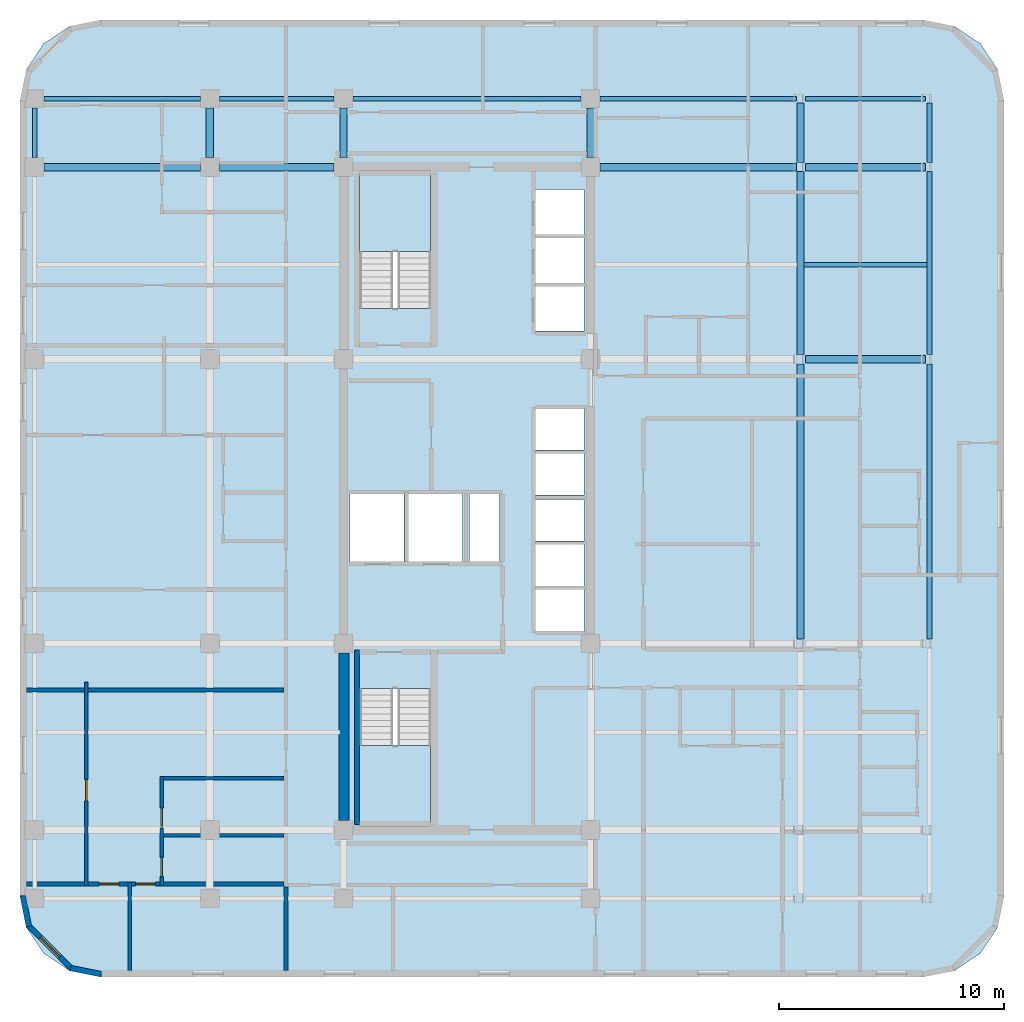
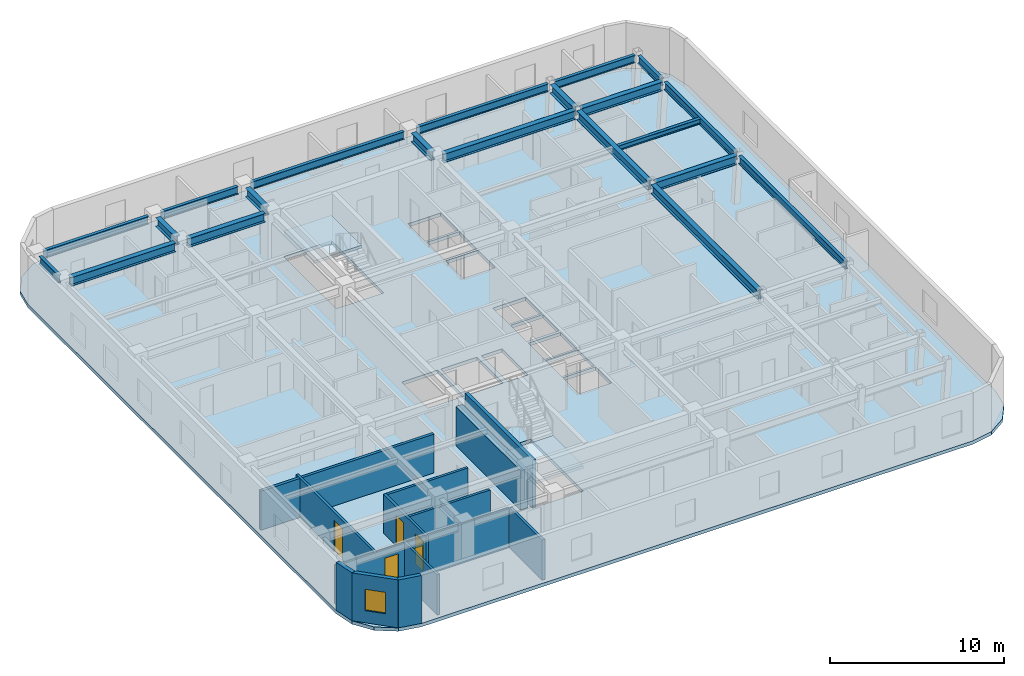
# One storey, part 2 of 8: 21 beams, 13 walls, 5 doors, 3 slabs, 1 window, 6 openings, 2 elements without a shape of their own.
"""IFC4 building model written with IfcOpenShell, lengths in metres."""

from ifc_helpers import new_model, si_unit, direction, frame, frame_2d, origin, origin_2d, place, context, subcontext, project, spatial, polyline, rectangle, i_section, outline, extrude, material, layer, layer_set, material_profile, profile_set, type_object, element, fill, aggregate, save


model = new_model("IFC4")

# Units and contexts
model_context = context("Model", 3, precision=1e-05, world=origin(), true_north=direction((0.0, 1.0)))
body_context = subcontext(model_context, "Body", "Model", "MODEL_VIEW")
ifc_project = project(units=[si_unit("LENGTHUNIT", "METRE"), si_unit("AREAUNIT", "SQUARE_METRE"), si_unit("VOLUMEUNIT", "CUBIC_METRE"), si_unit("PLANEANGLEUNIT", "RADIAN"), si_unit("MASSUNIT", "GRAM", prefix="KILO")], contexts=[model_context])

# Site, building, storey
site_placement = place(None, origin())
site = spatial("IfcSite", under=ifc_project, at=site_placement, CompositionType="ELEMENT")
building_placement = place(site_placement, origin())
building = spatial("IfcBuilding", under=site, at=building_placement, Name="Ochreholt Gables", CompositionType="ELEMENT")
storey_placement = place(building_placement, frame((0.0, 0.0, 128.39990234375)))
storey = spatial("IfcBuildingStorey", under=building, at=storey_placement, Name="L33", CompositionType="ELEMENT", Elevation=128.39990234375)

# Beams
ifc_material_1 = material(Name="Steel CSA G40.21 350W", Category="steel")
ifc_material_profile_1 = material_profile(ifc_material_1, i_section(OverallWidth=0.323974609375, OverallDepth=0.611083984375, WebThickness=0.0126953125, FlangeThickness=0.01904296875, at=origin_2d()), Name="W610X155")
ifc_profile_set_1 = profile_set([ifc_material_profile_1], Name="Steel CSA G40.21 350W")
beam_type_1 = type_object("IfcBeamType", Name="BM-G-W610A", PredefinedType="BEAM", material=ifc_profile_set_1)
beam_1_placement = place(storey_placement, frame((44.758544921875, 30.199951171875, 3.0546875), z_axis=(1.0, 0.0, 0.0), x_axis=(0.0, 1.0, 0.0)))
element("IfcBeam", 1, at=beam_1_placement, inside=storey, type_object=beam_type_1, Name="L33 Beam TBG-L33-EMEE-Y4", PredefinedType="BEAM", context=body_context, shape_type="SweptSolid", body=[
    extrude(i_section(OverallWidth=0.323974609375, OverallDepth=0.611083984375, WebThickness=0.0126953125, FlangeThickness=0.01904296875, at=origin_2d()), origin(), (0.0, 0.0, 1.0), 5.3515625),
])
beam_2_placement = place(storey_placement, frame((10.87451171875, 38.75, 3.0546875), z_axis=(1.0, 0.0, 0.0), x_axis=(0.0, 1.0, 0.0)))
element("IfcBeam", 2, at=beam_2_placement, inside=storey, type_object=beam_type_1, Name="L33 Beam TBG-L33-W2W3-Y5", PredefinedType="BEAM", context=body_context, shape_type="SweptSolid", body=[
    extrude(i_section(OverallWidth=0.323974609375, OverallDepth=0.611083984375, WebThickness=0.0126953125, FlangeThickness=0.01904296875, at=origin_2d()), origin(), (0.0, 0.0, 1.0), 6.950927734375),
])
beam_3_placement = place(storey_placement, frame((18.674560546875, 38.75, 3.0546875), z_axis=(1.0, 0.0, 0.0), x_axis=(0.0, 1.0, 0.0)))
element("IfcBeam", 3, at=beam_3_placement, inside=storey, type_object=beam_type_1, Name="L33 Beam TBG-L33-W3C1-Y5", PredefinedType="BEAM", context=body_context, shape_type="SweptSolid", body=[
    extrude(i_section(OverallWidth=0.323974609375, OverallDepth=0.611083984375, WebThickness=0.0126953125, FlangeThickness=0.01904296875, at=origin_2d()), origin(), (0.0, 0.0, 1.0), 5.100830078125),
])
beam_4_placement = place(storey_placement, frame((35.62451171875, 38.75, 3.0546875), z_axis=(1.0, 0.0, 0.0), x_axis=(0.0, 1.0, 0.0)))
element("IfcBeam", 4, at=beam_4_placement, inside=storey, type_object=beam_type_1, Name="L33 Beam TBG-L33-C2EM-Y5", PredefinedType="BEAM", context=body_context, shape_type="SweptSolid", body=[
    extrude(i_section(OverallWidth=0.323974609375, OverallDepth=0.611083984375, WebThickness=0.0126953125, FlangeThickness=0.01904296875, at=origin_2d()), origin(), (0.0, 0.0, 1.0), 8.72900390625),
])
beam_5_placement = place(storey_placement, frame((44.758544921875, 38.75, 3.0546875), z_axis=(1.0, 0.0, 0.0), x_axis=(0.0, 1.0, 0.0)))
element("IfcBeam", 5, at=beam_5_placement, inside=storey, type_object=beam_type_1, Name="L33 Beam TBG-L33-EMEE-Y5", PredefinedType="BEAM", context=body_context, shape_type="SweptSolid", body=[
    extrude(i_section(OverallWidth=0.323974609375, OverallDepth=0.611083984375, WebThickness=0.0126953125, FlangeThickness=0.01904296875, at=origin_2d()), origin(), (0.0, 0.0, 1.0), 5.3515625),
])
for number, where, z_axis, x_axis, name in (
    (6, (18.25, 39.174560546875, 3.0546875), (0.0, 1.0, 0.0), (-1.0, 0.0, 0.0), "L33 Beam TBN-L33-W3-Y5Y6"),
    (7, (24.199951171875, 39.174560546875, 3.0546875), (0.0, 1.0, 0.0), (-1.0, 0.0, 0.0), "L33 Beam TBN-L33-C1-Y5Y6"),
    (8, (35.199951171875, 39.174560546875, 3.0546875), (0.0, 1.0, 0.0), (-1.0, 0.0, 0.0), "L33 Beam TBN-L33-C2-Y5Y6"),
):
    element("IfcBeam", number, at=place(storey_placement, frame(where, z_axis=z_axis, x_axis=x_axis)), inside=storey, type_object=beam_type_1, Name=name, PredefinedType="BEAM", context=body_context, shape_type="SweptSolid", body=[
        extrude(i_section(OverallWidth=0.323974609375, OverallDepth=0.611083984375, WebThickness=0.0126953125, FlangeThickness=0.01904296875, at=origin_2d()), origin(), (0.0, 0.0, 1.0), 2.200927734375),
    ])
beam_6_placement = place(storey_placement, frame((44.538818359375, 17.752685546875, 3.0546875), z_axis=(0.0, 1.0, 0.0), x_axis=(-1.0, 0.0, 0.0)))
element("IfcBeam", 9, at=beam_6_placement, inside=storey, type_object=beam_type_1, Name="L33 Beam TBN-L33-EM-Y3Y4", PredefinedType="BEAM", context=body_context, shape_type="SweptSolid", body=[
    extrude(i_section(OverallWidth=0.323974609375, OverallDepth=0.611083984375, WebThickness=0.0126953125, FlangeThickness=0.01904296875, at=origin_2d()), origin(), (0.0, 0.0, 1.0), 12.24462890625),
])
beam_7_placement = place(storey_placement, frame((44.538818359375, 30.402587890625, 3.0546875), z_axis=(0.0, 1.0, 0.0), x_axis=(-1.0, 0.0, 0.0)))
element("IfcBeam", 10, at=beam_7_placement, inside=storey, type_object=beam_type_1, Name="L33 Beam TBN-L33-EM-Y4Y5", PredefinedType="BEAM", context=body_context, shape_type="SweptSolid", body=[
    extrude(i_section(OverallWidth=0.323974609375, OverallDepth=0.611083984375, WebThickness=0.0126953125, FlangeThickness=0.01904296875, at=origin_2d()), origin(), (0.0, 0.0, 1.0), 8.144775390625),
])
beam_8_placement = place(storey_placement, frame((44.538818359375, 38.95263671875, 3.0546875), z_axis=(0.0, 1.0, 0.0), x_axis=(-1.0, 0.0, 0.0)))
element("IfcBeam", 11, at=beam_8_placement, inside=storey, type_object=beam_type_1, Name="L33 Beam TBN-L33-EM-Y5Y6", PredefinedType="BEAM", context=body_context, shape_type="SweptSolid", body=[
    extrude(i_section(OverallWidth=0.323974609375, OverallDepth=0.611083984375, WebThickness=0.0126953125, FlangeThickness=0.01904296875, at=origin_2d()), origin(), (0.0, 0.0, 1.0), 2.644775390625),
])
ifc_material_profile_2 = material_profile(ifc_material_1, i_section(OverallWidth=0.205078125, OverallDepth=0.35400390625, WebThickness=0.009521484375, FlangeThickness=0.016845703125, at=origin_2d()), Name="W360X79")
ifc_profile_set_2 = profile_set([ifc_material_profile_2], Name="Steel CSA G40.21 350W")
beam_type_2 = type_object("IfcBeamType", Name="BM-J-W360A", PredefinedType="JOIST", material=ifc_profile_set_2)
beam_9_placement = place(storey_placement, frame((44.700439453125, 34.39990234375, 3.18310546875), z_axis=(1.0, 0.0, 0.0), x_axis=(0.0, 1.0, 0.0)))
element("IfcBeam", 12, at=beam_9_placement, inside=storey, type_object=beam_type_2, Name="L33 Beam TBJ-L33-J2-EMEE", PredefinedType="JOIST", context=body_context, shape_type="SweptSolid", body=[
    extrude(i_section(OverallWidth=0.205078125, OverallDepth=0.35400390625, WebThickness=0.009521484375, FlangeThickness=0.016845703125, at=origin_2d()), origin(), (0.0, 0.0, 1.0), 5.47998046875),
])
ifc_material_profile_3 = material_profile(ifc_material_1, i_section(OverallWidth=0.208984375, OverallDepth=0.532958984375, WebThickness=0.01025390625, FlangeThickness=0.015625, at=origin_2d()), Name="W530X92")
ifc_profile_set_3 = profile_set([ifc_material_profile_3], Name="Steel CSA G40.21 350W")
beam_type_3 = type_object("IfcBeamType", Name="BM-SP-W530B", PredefinedType="SPANDREL", material=ifc_profile_set_3)
beam_10_placement = place(storey_placement, frame((10.87451171875, 41.800048828125, 3.093505859375), z_axis=(1.0, 0.0, 0.0), x_axis=(0.0, 1.0, 0.0)))
element("IfcBeam", 13, at=beam_10_placement, inside=storey, type_object=beam_type_3, Name="L33 Beam TBG-L33-W2W3-Y6", PredefinedType="SPANDREL", context=body_context, shape_type="SweptSolid", body=[
    extrude(i_section(OverallWidth=0.208984375, OverallDepth=0.532958984375, WebThickness=0.01025390625, FlangeThickness=0.015625, at=origin_2d()), origin(), (0.0, 0.0, 1.0), 6.950927734375),
])
beam_11_placement = place(storey_placement, frame((18.674560546875, 41.800048828125, 3.093505859375), z_axis=(1.0, 0.0, 0.0), x_axis=(0.0, 1.0, 0.0)))
element("IfcBeam", 14, at=beam_11_placement, inside=storey, type_object=beam_type_3, Name="L33 Beam TBG-L33-W3C1-Y6", PredefinedType="SPANDREL", context=body_context, shape_type="SweptSolid", body=[
    extrude(i_section(OverallWidth=0.208984375, OverallDepth=0.532958984375, WebThickness=0.01025390625, FlangeThickness=0.015625, at=origin_2d()), origin(), (0.0, 0.0, 1.0), 5.100830078125),
])
beam_12_placement = place(storey_placement, frame((24.62451171875, 41.800048828125, 3.093505859375), z_axis=(1.0, 0.0, 0.0), x_axis=(0.0, 1.0, 0.0)))
element("IfcBeam", 15, at=beam_12_placement, inside=storey, type_object=beam_type_3, Name="L33 Beam TBG-L33-C1C2-Y6", PredefinedType="SPANDREL", context=body_context, shape_type="SweptSolid", body=[
    extrude(i_section(OverallWidth=0.208984375, OverallDepth=0.532958984375, WebThickness=0.01025390625, FlangeThickness=0.015625, at=origin_2d()), origin(), (0.0, 0.0, 1.0), 10.15087890625),
])
beam_13_placement = place(storey_placement, frame((35.62451171875, 41.800048828125, 3.093505859375), z_axis=(1.0, 0.0, 0.0), x_axis=(0.0, 1.0, 0.0)))
element("IfcBeam", 16, at=beam_13_placement, inside=storey, type_object=beam_type_3, Name="L33 Beam TBG-L33-C2EM-Y6", PredefinedType="SPANDREL", context=body_context, shape_type="SweptSolid", body=[
    extrude(i_section(OverallWidth=0.208984375, OverallDepth=0.532958984375, WebThickness=0.01025390625, FlangeThickness=0.015625, at=origin_2d()), origin(), (0.0, 0.0, 1.0), 8.72900390625),
])
beam_14_placement = place(storey_placement, frame((44.758544921875, 41.800048828125, 3.093505859375), z_axis=(1.0, 0.0, 0.0), x_axis=(0.0, 1.0, 0.0)))
element("IfcBeam", 17, at=beam_14_placement, inside=storey, type_object=beam_type_3, Name="L33 Beam TBG-L33-EMEE-Y6", PredefinedType="SPANDREL", context=body_context, shape_type="SweptSolid", body=[
    extrude(i_section(OverallWidth=0.208984375, OverallDepth=0.532958984375, WebThickness=0.01025390625, FlangeThickness=0.015625, at=origin_2d()), origin(), (0.0, 0.0, 1.0), 5.3515625),
])
beam_15_placement = place(storey_placement, frame((10.449951171875, 39.174560546875, 3.093505859375), z_axis=(0.0, 1.0, 0.0), x_axis=(-1.0, 0.0, 0.0)))
element("IfcBeam", 18, at=beam_15_placement, inside=storey, type_object=beam_type_3, Name="L33 Beam TBN-L33-W2-Y5Y6", PredefinedType="SPANDREL", context=body_context, shape_type="SweptSolid", body=[
    extrude(i_section(OverallWidth=0.208984375, OverallDepth=0.532958984375, WebThickness=0.01025390625, FlangeThickness=0.015625, at=origin_2d()), origin(), (0.0, 0.0, 1.0), 2.200927734375),
])
beam_16_placement = place(storey_placement, frame((50.284423828125, 17.752685546875, 3.093505859375), z_axis=(0.0, 1.0, 0.0), x_axis=(-1.0, 0.0, 0.0)))
element("IfcBeam", 19, at=beam_16_placement, inside=storey, type_object=beam_type_3, Name="L33 Beam TBN-L33-EE-Y3Y4", PredefinedType="SPANDREL", context=body_context, shape_type="SweptSolid", body=[
    extrude(i_section(OverallWidth=0.208984375, OverallDepth=0.532958984375, WebThickness=0.01025390625, FlangeThickness=0.015625, at=origin_2d()), origin(), (0.0, 0.0, 1.0), 12.24462890625),
])
beam_17_placement = place(storey_placement, frame((50.284423828125, 30.402587890625, 3.093505859375), z_axis=(0.0, 1.0, 0.0), x_axis=(-1.0, 0.0, 0.0)))
element("IfcBeam", 20, at=beam_17_placement, inside=storey, type_object=beam_type_3, Name="L33 Beam TBN-L33-EE-Y4Y5", PredefinedType="SPANDREL", context=body_context, shape_type="SweptSolid", body=[
    extrude(i_section(OverallWidth=0.208984375, OverallDepth=0.532958984375, WebThickness=0.01025390625, FlangeThickness=0.015625, at=origin_2d()), origin(), (0.0, 0.0, 1.0), 8.144775390625),
])
beam_18_placement = place(storey_placement, frame((50.284423828125, 38.95263671875, 3.093505859375), z_axis=(0.0, 1.0, 0.0), x_axis=(-1.0, 0.0, 0.0)))
element("IfcBeam", 21, at=beam_18_placement, inside=storey, type_object=beam_type_3, Name="L33 Beam TBN-L33-EE-Y5Y6", PredefinedType="SPANDREL", context=body_context, shape_type="SweptSolid", body=[
    extrude(i_section(OverallWidth=0.208984375, OverallDepth=0.532958984375, WebThickness=0.01025390625, FlangeThickness=0.015625, at=origin_2d()), origin(), (0.0, 0.0, 1.0), 2.644775390625),
])

# Stair, slab
ifc_material_2 = material(Name="Concrete 40 MPa", Category="concrete")
stair_type_1 = type_object("IfcStairType", Name="STAIR-CORE-ST-1", PredefinedType="HALF_TURN_STAIR", material=ifc_material_2)
stair_1_placement = place(storey_placement, origin())
stair_1 = element("IfcStair", 22, at=stair_1_placement, inside=storey, type_object=stair_type_1, Name="L33 Core Exit Stair 1", PredefinedType="HALF_TURN_STAIR")
ifc_layer_1 = layer(ifc_material_2, 0.199951171875, Name="Concrete 40 MPa")
ifc_layer_set_1 = layer_set([ifc_layer_1], Name="Concrete 40 MPa")
slab_type_1 = type_object("IfcSlabType", Name="LANDING-RC200", PredefinedType="LANDING", material=ifc_layer_set_1)
slab_1_placement = place(storey_placement, frame((0.0, 0.0, 1.60009765625)))
slab_1 = element("IfcSlab", 23, at=slab_1_placement, type_object=slab_type_1, Name="ST-1 landing 1", PredefinedType="LANDING", context=body_context, shape_type="SweptSolid", body=[
    extrude(outline(polyline([(24.919921875, 13.001953125), (24.919921875, 9.52001953125), (28.080078125, 9.52001953125), (28.080078125, 13.001953125), (24.919921875, 13.001953125)])), origin(), (0.0, 0.0, 1.0), 0.199951171875),
])
aggregate(stair_1, [slab_1])

stair_type_2 = type_object("IfcStairType", Name="STAIR-CORE-ST-2", PredefinedType="HALF_TURN_STAIR", material=ifc_material_2)
stair_2_placement = place(storey_placement, origin())
stair_2 = element("IfcStair", 24, at=stair_2_placement, inside=storey, type_object=stair_type_2, Name="L33 Core Exit Stair 2", PredefinedType="HALF_TURN_STAIR")
slab_2_placement = place(storey_placement, frame((0.0, 0.0, 1.60009765625)))
slab_2 = element("IfcSlab", 25, at=slab_2_placement, type_object=slab_type_1, Name="ST-2 landing 1", PredefinedType="LANDING", context=body_context, shape_type="SweptSolid", body=[
    extrude(outline(polyline([(28.080078125, 34.998046875), (28.080078125, 38.47998046875), (24.919921875, 38.47998046875), (24.919921875, 34.998046875), (28.080078125, 34.998046875)])), origin(), (0.0, 0.0, 1.0), 0.199951171875),
])
aggregate(stair_2, [slab_2])

# Slab
ifc_layer_2 = layer(ifc_material_2, 0.239990234375, Name="Concrete 40 MPa")
ifc_layer_set_2 = layer_set([ifc_layer_2], Name="Concrete 40 MPa")
slab_type_2 = type_object("IfcSlabType", Name="SLAB-TWR-240", PredefinedType="FLOOR", material=ifc_layer_set_2)
slab_3_placement = place(storey_placement, frame((0.0, 0.0, -0.239990234375)))
element("IfcSlab", 26, at=slab_3_placement, inside=storey, type_object=slab_type_2, Name="L33 Structural Floor Slab", PredefinedType="FLOOR", context=body_context, shape_type="SweptSolid", body=[
    extrude(outline(polyline([(9.800048828125, 6.300048828125), (10.073974609375, 4.92236328125), (10.8544921875, 3.75439453125), (12.022216796875, 2.97412109375), (13.39990234375, 2.699951171875), (50.0, 2.699951171875), (51.377685546875, 2.97412109375), (52.545654296875, 3.75439453125), (53.325927734375, 4.92236328125), (53.60009765625, 6.300048828125), (53.60009765625, 41.699951171875), (53.325927734375, 43.07763671875), (52.545654296875, 44.24560546875), (51.377685546875, 45.02587890625), (50.0, 45.300048828125), (13.39990234375, 45.300048828125), (12.022216796875, 45.02587890625), (10.8544921875, 44.24560546875), (10.073974609375, 43.07763671875), (9.800048828125, 41.699951171875), (9.800048828125, 6.300048828125)]), holes=[polyline([(24.919921875, 15.539306640625), (24.919921875, 9.52001953125), (28.080078125, 9.52001953125), (28.080078125, 15.539306640625), (24.919921875, 15.539306640625)]), polyline([(28.080078125, 32.460693359375), (28.080078125, 38.47998046875), (24.919921875, 38.47998046875), (24.919921875, 32.460693359375), (28.080078125, 32.460693359375)]), polyline([(24.5, 21.199951171875), (26.89990234375, 21.199951171875), (26.89990234375, 24.199951171875), (24.5, 24.199951171875), (24.5, 21.199951171875)]), polyline([(27.10009765625, 21.199951171875), (29.5, 21.199951171875), (29.5, 24.199951171875), (27.10009765625, 24.199951171875), (27.10009765625, 21.199951171875)]), polyline([(32.75, 18.10009765625), (34.89990234375, 18.10009765625), (34.89990234375, 19.949951171875), (32.75, 19.949951171875), (32.75, 18.10009765625)]), polyline([(32.75, 20.10009765625), (34.89990234375, 20.10009765625), (34.89990234375, 21.949951171875), (32.75, 21.949951171875), (32.75, 20.10009765625)]), polyline([(32.75, 22.10009765625), (34.89990234375, 22.10009765625), (34.89990234375, 23.949951171875), (32.75, 23.949951171875), (32.75, 22.10009765625)]), polyline([(32.75, 24.14990234375), (34.89990234375, 24.14990234375), (34.89990234375, 26.0), (32.75, 26.0), (32.75, 24.14990234375)]), polyline([(32.75, 26.14990234375), (34.89990234375, 26.14990234375), (34.89990234375, 28.0), (32.75, 28.0), (32.75, 26.14990234375)]), polyline([(32.75, 31.449951171875), (34.89990234375, 31.449951171875), (34.89990234375, 33.449951171875), (32.75, 33.449951171875), (32.75, 31.449951171875)]), polyline([(32.75, 33.60009765625), (34.89990234375, 33.60009765625), (34.89990234375, 35.60009765625), (32.75, 35.60009765625), (32.75, 33.60009765625)]), polyline([(32.75, 35.75), (34.89990234375, 35.75), (34.89990234375, 37.75), (32.75, 37.75), (32.75, 35.75)]), polyline([(29.800048828125, 21.199951171875), (31.14990234375, 21.199951171875), (31.14990234375, 24.199951171875), (29.800048828125, 24.199951171875), (29.800048828125, 21.199951171875)])]), origin(), (0.0, 0.0, 1.0), 0.239990234375),
])

# Walls
ifc_material_3 = material(Name="Concrete 60 MPa", Category="concrete")
ifc_layer_3 = layer(ifc_material_3, 0.449951171875, Name="Concrete 60 MPa")
ifc_layer_set_3 = layer_set([ifc_layer_3], Name="Concrete 60 MPa")
wall_type_1 = type_object("IfcWallType", Name="WALL-CSW-450", PredefinedType="SHEAR", material=ifc_layer_set_3)
wall_1_placement = place(storey_placement, frame((24.22509765625, 9.675048828125, 0.0), z_axis=(0.0, 0.0, 1.0), x_axis=(0.0, 1.0, 0.0)))
element("IfcWall", 27, at=wall_1_placement, inside=storey, type_object=wall_type_1, Name="L33 Core West Shear Wall WS", PredefinedType="SHEAR", context=body_context, shape_type="SweptSolid", body=[
    extrude(rectangle(XDim=7.449951171875, YDim=0.449951171875, at=frame_2d((3.72509765625, 0.0))), origin(), (0.0, 0.0, 1.0), 2.7490234375),
])
ifc_material_4 = material(Name="Precast concrete 40 MPa", Category="concrete")
ifc_layer_4 = layer(ifc_material_4, 0.25, Name="Precast concrete 40 MPa")
ifc_layer_set_4 = layer_set([ifc_layer_4], Name="Precast concrete 40 MPa")
wall_type_2 = type_object("IfcWallType", Name="WALL-EXT-CNR", PredefinedType="SOLIDWALL", material=ifc_layer_set_4)
wall_2_placement = place(storey_placement, frame((9.92431640625, 6.31640625, 0.0), z_axis=(0.0, 0.0, 1.0), x_axis=(0.195000137217, -0.980803214965, 0.0)))
element("IfcWall", 28, at=wall_2_placement, inside=storey, type_object=wall_type_2, Name="L33 Rounded Corner Wall SW-1", PredefinedType="SOLIDWALL", context=body_context, shape_type="SweptSolid", body=[
    extrude(rectangle(XDim=1.388427734375, YDim=0.25, at=frame_2d((0.6943359375, 0.0))), origin(), (0.0, 0.0, 1.0), 3.360107421875),
])

# Wall, opening, window
wall_3_placement = place(storey_placement, frame((10.16796875, 5.0048828125, 0.0), z_axis=(0.0, 0.0, 1.0), x_axis=(0.707151344399, -0.707062215165, 0.0)))
wall_3 = element("IfcWall", 29, at=wall_3_placement, inside=storey, type_object=wall_type_2, Name="L33 Rounded Corner Wall SW-2", PredefinedType="SOLIDWALL", context=body_context, shape_type="SweptSolid", body=[
    extrude(rectangle(XDim=2.7392578125, YDim=0.25, at=frame_2d((1.36962890625, 0.0))), origin(), (0.0, 0.0, 1.0), 3.360107421875),
])
opening_1_placement = place(wall_3_placement, frame((0.769775390625, 0.0, 0.85009765625)))
opening_1 = element("IfcOpeningElement", 30, at=opening_1_placement, cuts=wall_3, Name="Opening WN-3", PredefinedType="OPENING", context=body_context, shape_type="SweptSolid", body=[
    extrude(rectangle(XDim=1.199951171875, YDim=1.5, at=frame_2d((0.60009765625, 0.75))), frame((0.0, 0.135009765625, 0.0), z_axis=(0.0, -1.0, 0.0), x_axis=(1.0, 0.0, 0.0)), (0.0, 0.0, 1.0), 0.27001953125),
])
ifc_material_5 = material(Name="Triple-Glazed Thermally Broken Aluminium Window", Category="aluminium")
window_type = type_object("IfcWindowType", Name="WIN-RES-1200", PartitioningType="SINGLE_PANEL", PredefinedType="WINDOW", material=ifc_material_5)
window_placement = place(opening_1_placement, origin())
window = element("IfcWindow", 31, at=window_placement, inside=storey, type_object=window_type, Name="L33 Corner Bedroom Window SW", OverallHeight=1.5, OverallWidth=1.199951171875, PartitioningType="SINGLE_PANEL", PredefinedType="WINDOW", context=body_context, shape_type="SweptSolid", body=[
    extrude(rectangle(XDim=1.199951171875, YDim=1.5, at=frame_2d((0.60009765625, 0.75))), frame((0.0, 0.030029296875, 0.0), z_axis=(0.0, -1.0, 0.0), x_axis=(1.0, 0.0, 0.0)), (0.0, 0.0, 1.0), 0.06005859375),
])
fill(opening_1, window)

# Walls
wall_4_placement = place(storey_placement, frame((12.054443359375, 3.094970703125, 0.0), z_axis=(0.0, 0.0, 1.0), x_axis=(0.980809899341, -0.19496651342, 0.0)))
element("IfcWall", 32, at=wall_4_placement, inside=storey, type_object=wall_type_2, Name="L33 Rounded Corner Wall SW-3", PredefinedType="SOLIDWALL", context=body_context, shape_type="SweptSolid", body=[
    extrude(rectangle(XDim=1.388671875, YDim=0.25, at=frame_2d((0.6943359375, 0.0))), origin(), (0.0, 0.0, 1.0), 3.360107421875),
])
ifc_material_6 = material(Name="Double-Stud Acoustic Demising Wall", Category="gypsum")
ifc_layer_5 = layer(ifc_material_6, 0.179931640625, Name="Double-Stud Acoustic Demising Wall")
ifc_layer_set_5 = layer_set([ifc_layer_5], Name="Double-Stud Acoustic Demising Wall")
wall_type_3 = type_object("IfcWallType", Name="WALL-INT-DM180", PredefinedType="PARTITIONING", material=ifc_layer_set_5)
wall_5_placement = place(storey_placement, frame((21.64990234375, 2.97998046875, 0.0), z_axis=(0.0, 0.0, 1.0), x_axis=(0.0, 1.0, 0.0)))
element("IfcWall", 33, at=wall_5_placement, inside=storey, type_object=wall_type_3, Name="L33 Interior Wall WI-C2WWS-L33", PredefinedType="PARTITIONING", context=body_context, shape_type="SweptSolid", body=[
    extrude(rectangle(XDim=3.72998046875, YDim=0.179931640625, at=frame_2d((1.864990234375, 0.0))), origin(), (0.0, 0.0, 1.0), 2.80908203125),
])
wall_6_placement = place(storey_placement, frame((10.080078125, 15.47998046875, 0.0), z_axis=(0.0, 0.0, 1.0), x_axis=(1.0, 0.0, 0.0)))
element("IfcWall", 34, at=wall_6_placement, inside=storey, type_object=wall_type_3, Name="L33 Interior Wall WI-C2UDW2-L33", PredefinedType="PARTITIONING", context=body_context, shape_type="SweptSolid", body=[
    extrude(rectangle(XDim=11.47998046875, YDim=0.179931640625, at=frame_2d((5.739990234375, 0.0))), origin(), (0.0, 0.0, 1.0), 2.731201171875),
])
ifc_material_7 = material(Name="Moisture-Resistant Plumbing Chase Wall", Category="gypsum")
ifc_layer_6 = layer(ifc_material_7, 0.159912109375, Name="Moisture-Resistant Plumbing Chase Wall")
ifc_layer_set_6 = layer_set([ifc_layer_6], Name="Moisture-Resistant Plumbing Chase Wall")
wall_type_4 = type_object("IfcWallType", Name="WALL-INT-PL160", PredefinedType="PLUMBINGWALL", material=ifc_layer_set_6)
wall_7_placement = place(storey_placement, frame((16.030029296875, 11.547119140625, 0.0), z_axis=(0.0, 0.0, 1.0), x_axis=(1.0, 0.0, 0.0)))
element("IfcWall", 35, at=wall_7_placement, inside=storey, type_object=wall_type_4, Name="L33 Interior Wall WU-L33W1-FYN", PredefinedType="PLUMBINGWALL", context=body_context, shape_type="SweptSolid", body=[
    extrude(rectangle(XDim=5.530029296875, YDim=0.159912109375, at=frame_2d((2.76513671875, 0.0))), origin(), (0.0, 0.0, 1.0), 2.731201171875),
])

# Wall, openings, doors
wall_8_placement = place(storey_placement, frame((16.110107421875, 6.75, 0.0), z_axis=(0.0, 0.0, 1.0), x_axis=(0.0, 1.0, 0.0)))
wall_8 = element("IfcWall", 36, at=wall_8_placement, inside=storey, type_object=wall_type_4, Name="L33 Interior Wall WU-L33W1-WX", PredefinedType="PLUMBINGWALL", context=body_context, shape_type="SweptSolid", body=[
    extrude(rectangle(XDim=4.886962890625, YDim=0.159912109375, at=frame_2d((2.443359375, 0.0))), origin(), (0.0, 0.0, 1.0), 2.731201171875),
])
opening_2_placement = place(wall_8_placement, frame((0.419921875, 0.0, 0.0)))
opening_2 = element("IfcOpeningElement", 37, at=opening_2_placement, cuts=wall_8, Name="Opening D-BT1", PredefinedType="OPENING", context=body_context, shape_type="SweptSolid", body=[
    extrude(rectangle(XDim=0.860107421875, YDim=2.1201171875, at=frame_2d((0.43017578125, 1.06005859375))), frame((0.0, 0.08984375, 0.0), z_axis=(0.0, -1.0, 0.0), x_axis=(1.0, 0.0, 0.0)), (0.0, 0.0, 1.0), 0.179931640625),
])
opening_3_placement = place(wall_8_placement, frame((2.585205078125, 0.0, 0.0)))
opening_3 = element("IfcOpeningElement", 38, at=opening_3_placement, cuts=wall_8, Name="Opening D-GN2", PredefinedType="OPENING", context=body_context, shape_type="SweptSolid", body=[
    extrude(rectangle(XDim=0.8798828125, YDim=2.1201171875, at=frame_2d((0.43994140625, 1.06005859375))), frame((0.0, 0.08984375, 0.0), z_axis=(0.0, -1.0, 0.0), x_axis=(1.0, 0.0, 0.0)), (0.0, 0.0, 1.0), 0.179931640625),
])
ifc_material_8 = material(Name="Engineered Oak Timber", Category="wood")
door_type_1 = type_object("IfcDoorType", Name="DR-INT-BTH860", OperationType="NOTDEFINED", PredefinedType="DOOR", material=ifc_material_8)
door_1_placement = place(opening_2_placement, origin())
door_1 = element("IfcDoor", 39, at=door_1_placement, inside=storey, type_object=door_type_1, Name="L33 Door D-U-L33W1-BTH", OperationType="SINGLE_SWING_LEFT", OverallHeight=2.1201171875, OverallWidth=0.860107421875, PredefinedType="DOOR", context=body_context, shape_type="SweptSolid", body=[
    extrude(rectangle(XDim=0.860107421875, YDim=2.1201171875, at=frame_2d((0.43017578125, 1.06005859375))), frame((0.0, 0.02490234375, 0.0), z_axis=(0.0, -1.0, 0.0), x_axis=(1.0, 0.0, 0.0)), (0.0, 0.0, 1.0), 0.050048828125),
])
fill(opening_2, door_1)
door_type_2 = type_object("IfcDoorType", Name="DR-INT-GEN880", OperationType="NOTDEFINED", PredefinedType="DOOR", material=ifc_material_8)
door_2_placement = place(opening_3_placement, origin())
door_2 = element("IfcDoor", 40, at=door_2_placement, inside=storey, type_object=door_type_2, Name="L33 Door D-U-L33W1-KIT", OperationType="SINGLE_SWING_RIGHT", OverallHeight=2.1201171875, OverallWidth=0.8798828125, PredefinedType="DOOR", context=body_context, shape_type="SweptSolid", body=[
    extrude(rectangle(XDim=0.8798828125, YDim=2.1201171875, at=frame_2d((0.43994140625, 1.06005859375))), frame((0.0, 0.02490234375, 0.0), z_axis=(0.0, -1.0, 0.0), x_axis=(1.0, 0.0, 0.0)), (0.0, 0.0, 1.0), 0.050048828125),
])
fill(opening_3, door_2)

# Wall
wall_9_placement = place(storey_placement, frame((16.18994140625, 9.005126953125, 0.0), z_axis=(0.0, 0.0, 1.0), x_axis=(1.0, 0.0, 0.0)))
element("IfcWall", 41, at=wall_9_placement, inside=storey, type_object=wall_type_4, Name="L33 Interior Wall WU-L33W1-WK", PredefinedType="PLUMBINGWALL", context=body_context, shape_type="SweptSolid", body=[
    extrude(rectangle(XDim=5.3701171875, YDim=0.159912109375, at=frame_2d((2.68505859375, 0.0))), origin(), (0.0, 0.0, 1.0), 2.731201171875),
])

# Wall, openings, doors
ifc_material_9 = material(Name="Gypsum Acoustic Stud Partition", Category="gypsum")
ifc_layer_7 = layer(ifc_material_9, 0.1650390625, Name="Gypsum Acoustic Stud Partition")
ifc_layer_set_7 = layer_set([ifc_layer_7], Name="Gypsum Acoustic Stud Partition")
wall_type_5 = type_object("IfcWallType", Name="WALL-INT-PT165", PredefinedType="PARTITIONING", material=ifc_layer_set_7)
wall_10_placement = place(storey_placement, frame((10.080078125, 6.840087890625, 0.0), z_axis=(0.0, 0.0, 1.0), x_axis=(1.0, 0.0, 0.0)))
wall_10 = element("IfcWall", 42, at=wall_10_placement, inside=storey, type_object=wall_type_5, Name="L33 Interior Wall WU-L33W1-MN", PredefinedType="PARTITIONING", context=body_context, shape_type="SweptSolid", body=[
    extrude(rectangle(XDim=11.47998046875, YDim=0.1650390625, at=frame_2d((5.739990234375, 0.0))), origin(), (0.0, 0.0, 1.0), 2.731201171875),
])
opening_4_placement = place(wall_10_placement, frame((3.239990234375, 0.0, 0.0)))
opening_4 = element("IfcOpeningElement", 43, at=opening_4_placement, cuts=wall_10, Name="Opening D-BD2", PredefinedType="OPENING", context=body_context, shape_type="SweptSolid", body=[
    extrude(rectangle(XDim=0.8798828125, YDim=2.139892578125, at=frame_2d((0.43994140625, 1.06982421875))), frame((0.0, 0.092529296875, 0.0), z_axis=(0.0, -1.0, 0.0), x_axis=(1.0, 0.0, 0.0)), (0.0, 0.0, 1.0), 0.18505859375),
])
opening_5_placement = place(wall_10_placement, frame((4.8701171875, 0.0, 0.0)))
opening_5 = element("IfcOpeningElement", 44, at=opening_5_placement, cuts=wall_10, Name="Opening D-BD2", PredefinedType="OPENING", context=body_context, shape_type="SweptSolid", body=[
    extrude(rectangle(XDim=0.8798828125, YDim=2.139892578125, at=frame_2d((0.43994140625, 1.06982421875))), frame((0.0, 0.092529296875, 0.0), z_axis=(0.0, -1.0, 0.0), x_axis=(1.0, 0.0, 0.0)), (0.0, 0.0, 1.0), 0.18505859375),
])
door_type_3 = type_object("IfcDoorType", Name="DR-INT-BED880", OperationType="NOTDEFINED", PredefinedType="DOOR", material=ifc_material_8)
door_3_placement = place(opening_4_placement, origin())
door_3 = element("IfcDoor", 45, at=door_3_placement, inside=storey, type_object=door_type_3, Name="L33 Door D-U-L33W1-BD1", OperationType="SINGLE_SWING_RIGHT", OverallHeight=2.139892578125, OverallWidth=0.8798828125, PredefinedType="DOOR", context=body_context, shape_type="SweptSolid", body=[
    extrude(rectangle(XDim=0.8798828125, YDim=2.139892578125, at=frame_2d((0.43994140625, 1.06982421875))), frame((0.0, 0.02490234375, 0.0), z_axis=(0.0, -1.0, 0.0), x_axis=(1.0, 0.0, 0.0)), (0.0, 0.0, 1.0), 0.050048828125),
])
fill(opening_4, door_3)
door_4_placement = place(opening_5_placement, origin())
door_4 = element("IfcDoor", 46, at=door_4_placement, inside=storey, type_object=door_type_3, Name="L33 Door D-U-L33W1-BD2", OperationType="SINGLE_SWING_LEFT", OverallHeight=2.139892578125, OverallWidth=0.8798828125, PredefinedType="DOOR", context=body_context, shape_type="SweptSolid", body=[
    extrude(rectangle(XDim=0.8798828125, YDim=2.139892578125, at=frame_2d((0.43994140625, 1.06982421875))), frame((0.0, 0.02490234375, 0.0), z_axis=(0.0, -1.0, 0.0), x_axis=(1.0, 0.0, 0.0)), (0.0, 0.0, 1.0), 0.050048828125),
])
fill(opening_5, door_4)

# Wall, opening, door
wall_11_placement = place(storey_placement, frame((12.75, 6.760009765625, 0.0), z_axis=(0.0, 0.0, 1.0), x_axis=(0.0, 1.0, 0.0)))
wall_11 = element("IfcWall", 47, at=wall_11_placement, inside=storey, type_object=wall_type_5, Name="L33 Interior Wall WU-L33W1-DNV", PredefinedType="PARTITIONING", context=body_context, shape_type="SweptSolid", body=[
    extrude(rectangle(XDim=9.080078125, YDim=0.1650390625, at=frame_2d((4.5400390625, 0.0))), origin(), (0.0, 0.0, 1.0), 2.731201171875),
])
opening_6_placement = place(wall_11_placement, frame((3.780029296875, 0.0, 0.0)))
opening_6 = element("IfcOpeningElement", 48, at=opening_6_placement, cuts=wall_11, Name="Opening D-GN1", PredefinedType="OPENING", context=body_context, shape_type="SweptSolid", body=[
    extrude(rectangle(XDim=0.949951171875, YDim=2.14990234375, at=frame_2d((0.47509765625, 1.074951171875))), frame((0.0, 0.092529296875, 0.0), z_axis=(0.0, -1.0, 0.0), x_axis=(1.0, 0.0, 0.0)), (0.0, 0.0, 1.0), 0.18505859375),
])
door_type_4 = type_object("IfcDoorType", Name="DR-INT-GEN950", OperationType="NOTDEFINED", PredefinedType="DOOR", material=ifc_material_8)
door_5_placement = place(opening_6_placement, origin())
door_5 = element("IfcDoor", 49, at=door_5_placement, inside=storey, type_object=door_type_4, Name="L33 Door D-U-L33W1-DIN", OperationType="SINGLE_SWING_LEFT", OverallHeight=2.14990234375, OverallWidth=0.949951171875, PredefinedType="DOOR", context=body_context, shape_type="SweptSolid", body=[
    extrude(rectangle(XDim=0.949951171875, YDim=2.14990234375, at=frame_2d((0.47509765625, 1.074951171875))), frame((0.0, 0.02490234375, 0.0), z_axis=(0.0, -1.0, 0.0), x_axis=(1.0, 0.0, 0.0)), (0.0, 0.0, 1.0), 0.050048828125),
])
fill(opening_6, door_5)

# Walls
wall_12_placement = place(storey_placement, frame((14.679931640625, 2.97998046875, 0.0), z_axis=(0.0, 0.0, 1.0), x_axis=(0.0, 1.0, 0.0)))
element("IfcWall", 50, at=wall_12_placement, inside=storey, type_object=wall_type_5, Name="L33 Interior Wall WU-L33W1-BSD", PredefinedType="PARTITIONING", context=body_context, shape_type="SweptSolid", body=[
    extrude(rectangle(XDim=3.93994140625, YDim=0.1650390625, at=frame_2d((1.969970703125, 0.0))), origin(), (0.0, 0.0, 1.0), 2.80908203125),
])
ifc_material_10 = material(Name="Concrete 50 MPa", Category="concrete")
ifc_layer_8 = layer(ifc_material_10, 0.219970703125, Name="Concrete 50 MPa")
ifc_layer_set_8 = layer_set([ifc_layer_8], Name="Concrete 50 MPa")
wall_type_6 = type_object("IfcWallType", Name="WALL-STW-220", PredefinedType="SHEAR", material=ifc_layer_set_8)
wall_13_placement = place(storey_placement, frame((24.81005859375, 9.5, 0.0), z_axis=(0.0, 0.0, 1.0), x_axis=(0.0, 1.0, 0.0)))
element("IfcWall", 51, at=wall_13_placement, inside=storey, type_object=wall_type_6, Name="L33 Exit Stair 1 West Wall", PredefinedType="SHEAR", context=body_context, shape_type="SweptSolid", body=[
    extrude(rectangle(XDim=7.760009765625, YDim=0.219970703125, at=frame_2d((3.8798828125, 0.0))), origin(), (0.0, 0.0, 1.0), 3.360107421875),
])

save(model, "model.ifc")
